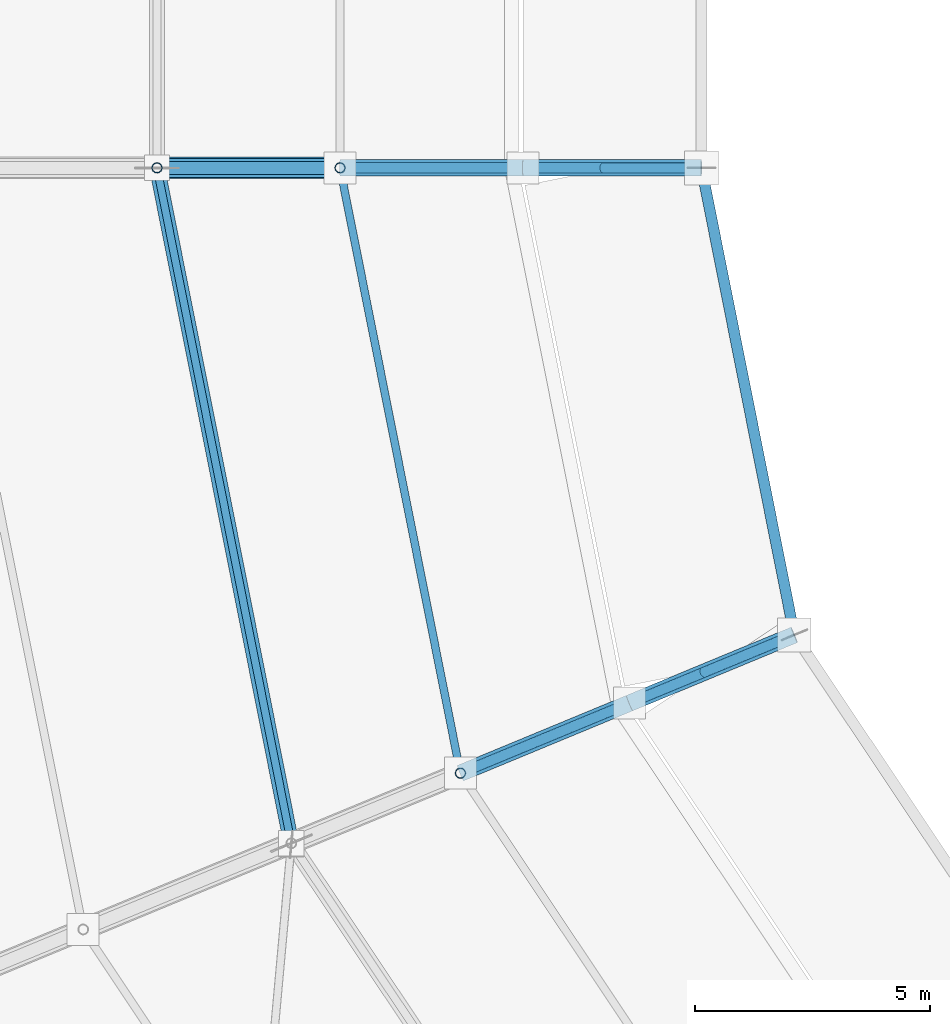
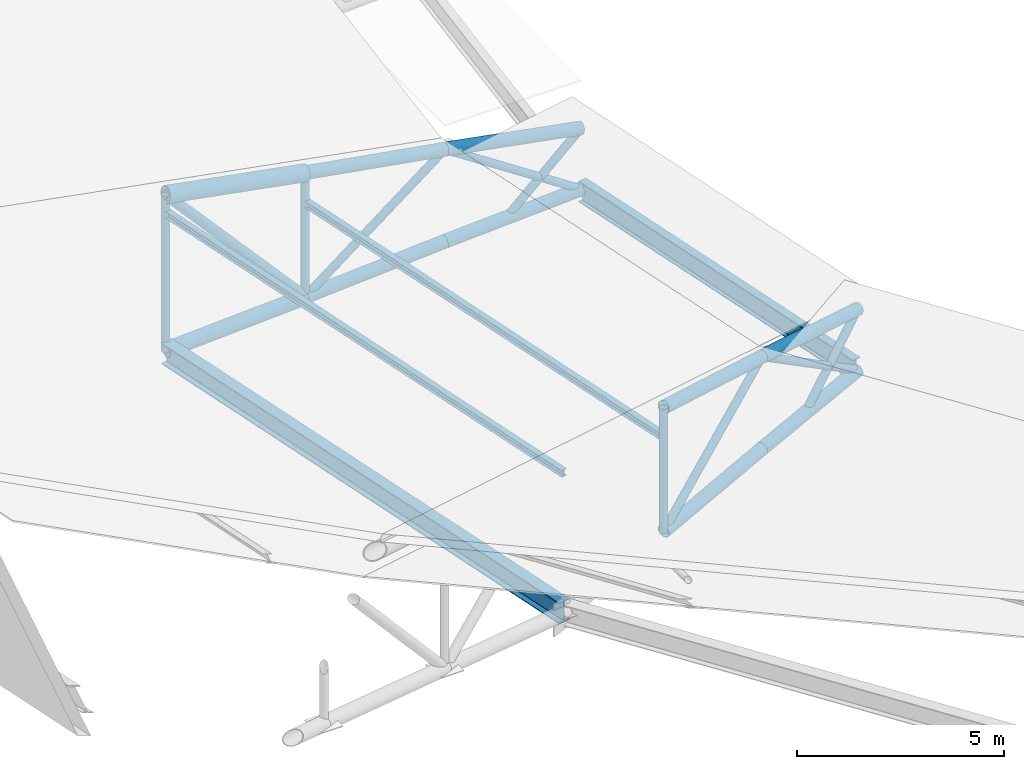
# One storey, part 27 of 146: 22 members, 2 beams.
"""IFC4 building model written with IfcOpenShell, lengths in metres."""

from ifc_helpers import new_model, si_unit, direction, frame, origin, origin_2d, place, context, subcontext, project, spatial, hollow_circle, i_section, extrude, material, material_profile, profile_set, type_object, element, save


model = new_model("IFC4")

# Units and contexts
model_context = context("Model", 3, precision=1e-05, world=origin(), true_north=direction((0.0, 1.0)))
body_context = subcontext(model_context, "Body", "Model", "MODEL_VIEW")
ifc_project = project(units=[si_unit("LENGTHUNIT", "METRE"), si_unit("AREAUNIT", "SQUARE_METRE"), si_unit("VOLUMEUNIT", "CUBIC_METRE"), si_unit("PLANEANGLEUNIT", "RADIAN"), si_unit("MASSUNIT", "GRAM", prefix="KILO")], contexts=[model_context])

# Site, building, storey
site_placement = place(None, origin())
site = spatial("IfcSite", under=ifc_project, at=site_placement, CompositionType="ELEMENT")
building_placement = place(site_placement, origin())
building = spatial("IfcBuilding", under=site, at=building_placement, Name="Candeia Ridge Stadium", CompositionType="ELEMENT")
storey_placement = place(building_placement, frame((0.0, 0.0, 31.800048828125)))
storey = spatial("IfcBuildingStorey", under=building, at=storey_placement, Name="RF", CompositionType="ELEMENT", Elevation=31.800048828125)

# Beams
ifc_material = material(Name="Steel ASTM A572 Grade 50", Category="steel")
ifc_material_profile_1 = material_profile(ifc_material, i_section(OverallWidth=0.324951171875, OverallDepth=0.615966796875, WebThickness=0.013916015625, FlangeThickness=0.021484375, FilletRadius=0.014892578125, at=origin_2d()), Name="W610x174", Category="steel")
ifc_profile_set_1 = profile_set([ifc_material_profile_1], Name="Steel ASTM A572 Grade 50")
beam_type_1 = type_object("IfcBeamType", Name="Roof Compression Ring Beam W610x174", PredefinedType="BEAM", material=ifc_profile_set_1)
beam_1_placement = place(storey_placement, frame((33.40771484375, 70.960693359375, -2.6640625), z_axis=(0.195102419364, -0.980782874014, 0.0), x_axis=(0.980782874014, 0.195102419364, 0.0)))
element("IfcBeam", 1, at=beam_1_placement, inside=storey, type_object=beam_type_1, Name="Roof compression ring beam bay 15", PredefinedType="BEAM", context=body_context, shape_type="SweptSolid", body=[
    extrude(i_section(OverallWidth=0.324951171875, OverallDepth=0.615966796875, WebThickness=0.013916015625, FlangeThickness=0.021484375, FilletRadius=0.014892578125, at=origin_2d()), origin(), (0.0, 0.0, 1.0), 14.590576171875),
])
ifc_material_profile_2 = material_profile(ifc_material, i_section(OverallWidth=0.22998046875, OverallDepth=0.616943359375, WebThickness=0.01318359375, FlangeThickness=0.022216796875, FilletRadius=0.014892578125, at=origin_2d()), Name="W610x140", Category="steel")
ifc_profile_set_2 = profile_set([ifc_material_profile_2], Name="Steel ASTM A572 Grade 50")
beam_type_2 = type_object("IfcBeamType", Name="Roof Inner Tension Ring Beam W610x140", PredefinedType="BEAM", material=ifc_profile_set_2)
beam_2_placement = place(storey_placement, frame((45.0078125, 70.960693359375, -1.9599609375), z_axis=(0.195099101337, -0.980783534047, 0.0), x_axis=(0.980783534047, 0.195099101337, 0.0)))
element("IfcBeam", 2, at=beam_2_placement, inside=storey, type_object=beam_type_2, Name="Roof inner tension ring beam bay 15", PredefinedType="BEAM", context=body_context, shape_type="SweptSolid", body=[
    extrude(i_section(OverallWidth=0.22998046875, OverallDepth=0.616943359375, WebThickness=0.01318359375, FlangeThickness=0.022216796875, FilletRadius=0.014892578125, at=origin_2d()), origin(), (0.0, 0.0, 1.0), 10.064697265625),
])

# Members
ifc_material_profile_3 = material_profile(ifc_material, i_section(OverallWidth=0.1650390625, OverallDepth=0.200927734375, WebThickness=0.006103515625, FlangeThickness=0.01025390625, FilletRadius=0.010009765625, at=origin_2d()), Name="W200x35.9", Category="steel")
ifc_profile_set_3 = profile_set([ifc_material_profile_3], Name="Steel ASTM A572 Grade 50")
member_type_1 = type_object("IfcMemberType", Name="Roof Purlin W200x35.9", PredefinedType="PURLIN", material=ifc_profile_set_3)
member_1_placement = place(storey_placement, frame((37.309814453125, 70.950927734375, 0.3544921875), z_axis=(0.195083408815, -0.980786655499, 0.0), x_axis=(0.980786655499, 0.195083408815, 0.0)))
element("IfcMember", 3, at=member_1_placement, inside=storey, type_object=member_type_1, Name="Saddle roof steel purlin bay 15-1", PredefinedType="PURLIN", context=body_context, shape_type="SweptSolid", body=[
    extrude(i_section(OverallWidth=0.1650390625, OverallDepth=0.200927734375, WebThickness=0.006103515625, FlangeThickness=0.01025390625, FilletRadius=0.010009765625, at=origin_2d()), origin(), (0.0, 0.0, 1.0), 13.049072265625),
])
member_2_placement = place(storey_placement, frame((33.40966796875, 70.950927734375, 1.416015625), z_axis=(0.195101033486, -0.980783149699, 0.0), x_axis=(0.980783149699, 0.195101033486, 0.0)))
element("IfcMember", 4, at=member_2_placement, inside=storey, type_object=member_type_1, Name="Saddle roof steel purlin bay 15-2", PredefinedType="PURLIN", context=body_context, shape_type="SweptSolid", body=[
    extrude(i_section(OverallWidth=0.1650390625, OverallDepth=0.200927734375, WebThickness=0.006103515625, FlangeThickness=0.01025390625, FilletRadius=0.010009765625, at=origin_2d()), origin(), (0.0, 0.0, 1.0), 14.57080078125),
])
ifc_material_profile_4 = material_profile(ifc_material, hollow_circle(Radius=0.136474609375, WallThickness=0.010009765625, at=origin_2d()), Name="CHS273x10", Category="steel")
ifc_profile_set_4 = profile_set([ifc_material_profile_4], Name="Steel ASTM A572 Grade 50")
member_type_2 = type_object("IfcMemberType", Name="Roof Truss Heavy Web Brace CHS273x10", PredefinedType="BRACE", material=ifc_profile_set_4)
member_3_placement = place(storey_placement, frame((37.300048828125, 71.0, -2.444091796875), z_axis=(-0.665001791652, 0.0, 0.746841761754), x_axis=(0.0, -1.0, 0.0)))
element("IfcMember", 5, at=member_3_placement, inside=storey, type_object=member_type_2, Name="Roof cantilever truss RT-15 diagonal web 3", PredefinedType="BRACE", context=body_context, shape_type="SweptSolid", body=[
    extrude(hollow_circle(Radius=0.136474609375, WallThickness=0.010009765625, at=origin_2d()), origin(), (0.0, 0.0, 1.0), 5.86474609375),
])
ifc_material_profile_5 = material_profile(ifc_material, hollow_circle(Radius=0.109619140625, WallThickness=0.010009765625, at=origin_2d()), Name="CHS219x10", Category="steel")
ifc_profile_set_5 = profile_set([ifc_material_profile_5], Name="Steel ASTM A572 Grade 50")
member_type_3 = type_object("IfcMemberType", Name="Roof Truss Inner Web Brace CHS219x10", PredefinedType="BRACE", material=ifc_profile_set_5)
member_4_placement = place(storey_placement, frame((45.0, 71.0, -1.9599609375), z_axis=(-0.835124576935, 0.0, 0.550060852087), x_axis=(0.0, -1.0, 0.0)))
element("IfcMember", 6, at=member_4_placement, inside=storey, type_object=member_type_3, Name="Roof cantilever truss RT-15 diagonal web 1", PredefinedType="BRACE", context=body_context, shape_type="SweptSolid", body=[
    extrude(hollow_circle(Radius=0.109619140625, WallThickness=0.010009765625, at=origin_2d()), origin(), (0.0, 0.0, 1.0), 4.55029296875),
])
member_5_placement = place(storey_placement, frame((41.199951171875, 71.0, 0.54296875), z_axis=(-0.793887844601, 0.0, -0.608064215519), x_axis=(0.0, -1.0, 0.0)))
element("IfcMember", 7, at=member_5_placement, inside=storey, type_object=member_type_3, Name="Roof cantilever truss RT-15 diagonal web 2", PredefinedType="BRACE", context=body_context, shape_type="SweptSolid", body=[
    extrude(hollow_circle(Radius=0.109619140625, WallThickness=0.010009765625, at=origin_2d()), origin(), (0.0, 0.0, 1.0), 4.912353515625),
])
member_6_placement = place(storey_placement, frame((42.909912109375, 71.0, -2.077880859375), z_axis=(0.736836090738, 0.0, 0.676071427725), x_axis=(0.0, 1.0, 0.0)))
element("IfcMember", 8, at=member_6_placement, inside=storey, type_object=member_type_3, Name="Roof cantilever truss RT-15 vertical post 0", PredefinedType="BRACE", context=body_context, shape_type="SweptSolid", body=[
    extrude(hollow_circle(Radius=0.109619140625, WallThickness=0.010009765625, at=origin_2d()), origin(), (0.0, 0.0, 1.0), 2.836669921875),
])
member_7_placement = place(storey_placement, frame((37.300048828125, 71.0, -2.444091796875), z_axis=(0.0, 0.0, 1.0), x_axis=(1.0, 0.0, 0.0)))
element("IfcMember", 9, at=member_7_placement, inside=storey, type_object=member_type_3, Name="Roof cantilever truss RT-15 vertical post 2", PredefinedType="BRACE", context=body_context, shape_type="SweptSolid", body=[
    extrude(hollow_circle(Radius=0.109619140625, WallThickness=0.010009765625, at=origin_2d()), origin(), (0.0, 0.0, 1.0), 3.658447265625),
])
member_8_placement = place(storey_placement, frame((33.39990234375, 71.0, -2.6640625), z_axis=(0.0, 0.0, 1.0), x_axis=(1.0, 0.0, 0.0)))
element("IfcMember", 10, at=member_8_placement, inside=storey, type_object=member_type_3, Name="Roof cantilever truss RT-15 vertical post 3", PredefinedType="BRACE", context=body_context, shape_type="SweptSolid", body=[
    extrude(hollow_circle(Radius=0.109619140625, WallThickness=0.010009765625, at=origin_2d()), origin(), (0.0, 0.0, 1.0), 4.60009765625),
])
member_9_placement = place(storey_placement, frame((46.979248046875, 61.05029296875, -1.9599609375), z_axis=(-0.771543444646, -0.319616432528, 0.550060041343), x_axis=(0.382716826907, -0.923865699332, 0.0)))
element("IfcMember", 11, at=member_9_placement, inside=storey, type_object=member_type_3, Name="Roof cantilever truss RT-16 diagonal web 1", PredefinedType="BRACE", context=body_context, shape_type="SweptSolid", body=[
    extrude(hollow_circle(Radius=0.109619140625, WallThickness=0.010009765625, at=origin_2d()), origin(), (0.0, 0.0, 1.0), 4.55029296875),
])
member_10_placement = place(storey_placement, frame((43.468505859375, 59.595947265625, 0.54296875), z_axis=(-0.73347834193, -0.303797893097, -0.608043059388), x_axis=(0.382663237128, -0.923887897394, 0.0)))
element("IfcMember", 12, at=member_10_placement, inside=storey, type_object=member_type_3, Name="Roof cantilever truss RT-16 diagonal web 2", PredefinedType="BRACE", context=body_context, shape_type="SweptSolid", body=[
    extrude(hollow_circle(Radius=0.109619140625, WallThickness=0.010009765625, at=origin_2d()), origin(), (0.0, 0.0, 1.0), 4.91259765625),
])
member_11_placement = place(storey_placement, frame((45.048095703125, 60.25048828125, -2.077880859375), z_axis=(0.680781125618, 0.281951829017, 0.676047502115), x_axis=(-0.382640634603, 0.923897258763, 0.0)))
element("IfcMember", 13, at=member_11_placement, inside=storey, type_object=member_type_3, Name="Roof cantilever truss RT-16 vertical post 0", PredefinedType="BRACE", context=body_context, shape_type="SweptSolid", body=[
    extrude(hollow_circle(Radius=0.109619140625, WallThickness=0.010009765625, at=origin_2d()), origin(), (0.0, 0.0, 1.0), 2.836669921875),
])
member_12_placement = place(storey_placement, frame((39.865234375, 58.103515625, -2.444091796875), z_axis=(0.0, 0.0, 1.0), x_axis=(1.0, 0.0, 0.0)))
element("IfcMember", 14, at=member_12_placement, inside=storey, type_object=member_type_3, Name="Roof cantilever truss RT-16 vertical post 2", PredefinedType="BRACE", context=body_context, shape_type="SweptSolid", body=[
    extrude(hollow_circle(Radius=0.109619140625, WallThickness=0.010009765625, at=origin_2d()), origin(), (0.0, 0.0, 1.0), 3.658447265625),
])
ifc_material_profile_6 = material_profile(ifc_material, hollow_circle(Radius=0.228515625, WallThickness=0.02001953125, at=origin_2d()), Name="CHS457x20", Category="steel")
ifc_profile_set_6 = profile_set([ifc_material_profile_6], Name="Steel ASTM A572 Grade 50")
member_type_4 = type_object("IfcMemberType", Name="Roof Truss Main Chord CHS457x20", PredefinedType="CHORD", material=ifc_profile_set_6)
member_13_placement = place(storey_placement, frame((37.300048828125, 71.0, 1.21435546875), z_axis=(-0.983307710254, 0.0, 0.181950396965), x_axis=(0.0, -1.0, 0.0)))
element("IfcMember", 15, at=member_13_placement, inside=storey, type_object=member_type_4, Name="Roof cantilever truss RT-15 top chord 3", PredefinedType="CHORD", context=body_context, shape_type="SweptSolid", body=[
    extrude(hollow_circle(Radius=0.228515625, WallThickness=0.02001953125, at=origin_2d()), origin(), (0.0, 0.0, 1.0), 3.96630859375),
])
ifc_material_profile_7 = material_profile(ifc_material, hollow_circle(Radius=0.202880859375, WallThickness=0.01611328125, at=origin_2d()), Name="CHS406x16", Category="steel")
ifc_profile_set_7 = profile_set([ifc_material_profile_7], Name="Steel ASTM A572 Grade 50")
member_type_5 = type_object("IfcMemberType", Name="Roof Truss Outer Chord CHS406x16", PredefinedType="CHORD", material=ifc_profile_set_7)
member_14_placement = place(storey_placement, frame((37.300048828125, 71.0, -2.444091796875), z_axis=(-0.998413269272, 0.0, -0.056311133372), x_axis=(0.0, -1.0, 0.0)))
element("IfcMember", 16, at=member_14_placement, inside=storey, type_object=member_type_5, Name="Roof cantilever truss RT-15 bottom chord 3", PredefinedType="CHORD", context=body_context, shape_type="SweptSolid", body=[
    extrude(hollow_circle(Radius=0.202880859375, WallThickness=0.01611328125, at=origin_2d()), origin(), (0.0, 0.0, 1.0), 3.90625),
])
ifc_material_profile_8 = material_profile(ifc_material, hollow_circle(Radius=0.177734375, WallThickness=0.01416015625, at=origin_2d()), Name="CHS355x14", Category="steel")
ifc_profile_set_8 = profile_set([ifc_material_profile_8], Name="Steel ASTM A572 Grade 50")
member_type_6 = type_object("IfcMemberType", Name="Roof Truss Tip Chord CHS355x14", PredefinedType="CHORD", material=ifc_profile_set_8)
member_15_placement = place(storey_placement, frame((45.0, 71.0, -0.16015625), z_axis=(-0.983309224326, 0.0, 0.181942214331), x_axis=(0.0, -1.0, 0.0)))
element("IfcMember", 17, at=member_15_placement, inside=storey, type_object=member_type_6, Name="Roof cantilever truss RT-15 top chord 1", PredefinedType="CHORD", context=body_context, shape_type="SweptSolid", body=[
    extrude(hollow_circle(Radius=0.177734375, WallThickness=0.01416015625, at=origin_2d()), origin(), (0.0, 0.0, 1.0), 3.864501953125),
])
member_16_placement = place(storey_placement, frame((45.0, 71.0, -1.9599609375), z_axis=(-0.99841282113, 0.0, -0.056319078506), x_axis=(0.0, -1.0, 0.0)))
element("IfcMember", 18, at=member_16_placement, inside=storey, type_object=member_type_6, Name="Roof cantilever truss RT-15 bottom chord 1", PredefinedType="CHORD", context=body_context, shape_type="SweptSolid", body=[
    extrude(hollow_circle(Radius=0.177734375, WallThickness=0.01416015625, at=origin_2d()), origin(), (0.0, 0.0, 1.0), 3.80615234375),
])
member_17_placement = place(storey_placement, frame((41.199951171875, 71.0, 0.54296875), z_axis=(-0.985502828795, 0.0, 0.169658994565), x_axis=(0.0, -1.0, 0.0)))
element("IfcMember", 19, at=member_17_placement, inside=storey, type_object=member_type_6, Name="Roof cantilever truss RT-15 top chord 2", PredefinedType="CHORD", context=body_context, shape_type="SweptSolid", body=[
    extrude(hollow_circle(Radius=0.177734375, WallThickness=0.01416015625, at=origin_2d()), origin(), (0.0, 0.0, 1.0), 3.957275390625),
])
member_18_placement = place(storey_placement, frame((41.199951171875, 71.0, -2.17431640625), z_axis=(-0.997615968556, 0.0, -0.069009994069), x_axis=(0.0, -1.0, 0.0)))
element("IfcMember", 20, at=member_18_placement, inside=storey, type_object=member_type_6, Name="Roof cantilever truss RT-15 bottom chord 2", PredefinedType="CHORD", context=body_context, shape_type="SweptSolid", body=[
    extrude(hollow_circle(Radius=0.177734375, WallThickness=0.01416015625, at=origin_2d()), origin(), (0.0, 0.0, 1.0), 3.9091796875),
])
member_19_placement = place(storey_placement, frame((46.979248046875, 61.05029296875, -0.16015625), z_axis=(-0.908445727744, -0.376329012529, 0.181941842552), x_axis=(0.382716826907, -0.923865699332, 0.0)))
element("IfcMember", 21, at=member_19_placement, inside=storey, type_object=member_type_6, Name="Roof cantilever truss RT-16 top chord 1", PredefinedType="CHORD", context=body_context, shape_type="SweptSolid", body=[
    extrude(hollow_circle(Radius=0.177734375, WallThickness=0.01416015625, at=origin_2d()), origin(), (0.0, 0.0, 1.0), 3.864501953125),
])
member_20_placement = place(storey_placement, frame((46.979248046875, 61.05029296875, -1.9599609375), z_axis=(-0.922399365398, -0.382109389407, -0.056318959862), x_axis=(0.382716826907, -0.923865699332, 0.0)))
element("IfcMember", 22, at=member_20_placement, inside=storey, type_object=member_type_6, Name="Roof cantilever truss RT-16 bottom chord 1", PredefinedType="CHORD", context=body_context, shape_type="SweptSolid", body=[
    extrude(hollow_circle(Radius=0.177734375, WallThickness=0.01416015625, at=origin_2d()), origin(), (0.0, 0.0, 1.0), 3.80615234375),
])
member_21_placement = place(storey_placement, frame((43.468505859375, 59.595947265625, 0.54296875), z_axis=(-0.91049558306, -0.377116301866, 0.169649898599), x_axis=(0.382663237128, -0.923887897394, 0.0)))
element("IfcMember", 23, at=member_21_placement, inside=storey, type_object=member_type_6, Name="Roof cantilever truss RT-16 top chord 2", PredefinedType="CHORD", context=body_context, shape_type="SweptSolid", body=[
    extrude(hollow_circle(Radius=0.177734375, WallThickness=0.01416015625, at=origin_2d()), origin(), (0.0, 0.0, 1.0), 3.95751953125),
])
member_22_placement = place(storey_placement, frame((43.468505859375, 59.595947265625, -2.17431640625), z_axis=(-0.921685561894, -0.381751056295, -0.069006202717), x_axis=(0.382663237128, -0.923887897394, 0.0)))
element("IfcMember", 24, at=member_22_placement, inside=storey, type_object=member_type_6, Name="Roof cantilever truss RT-16 bottom chord 2", PredefinedType="CHORD", context=body_context, shape_type="SweptSolid", body=[
    extrude(hollow_circle(Radius=0.177734375, WallThickness=0.01416015625, at=origin_2d()), origin(), (0.0, 0.0, 1.0), 3.909423828125),
])

save(model, "model.ifc")
